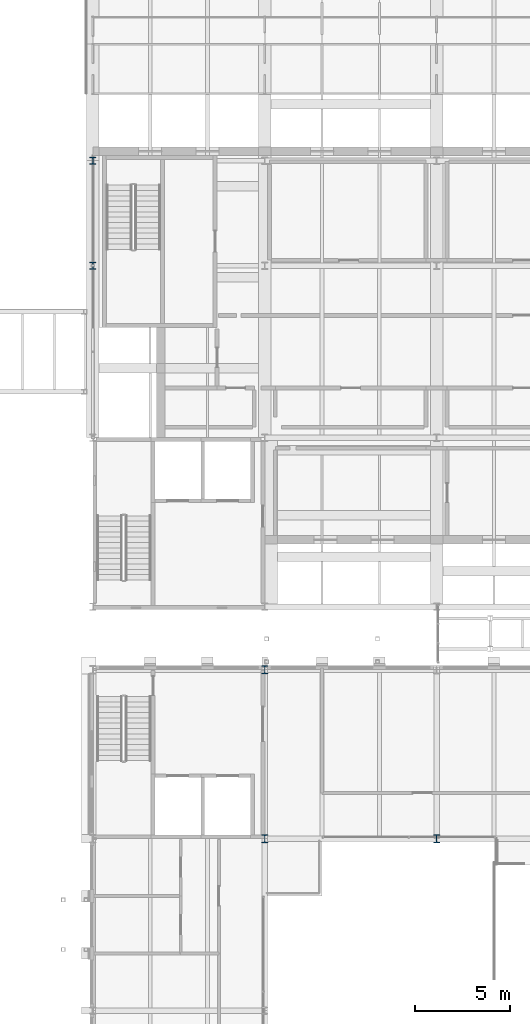
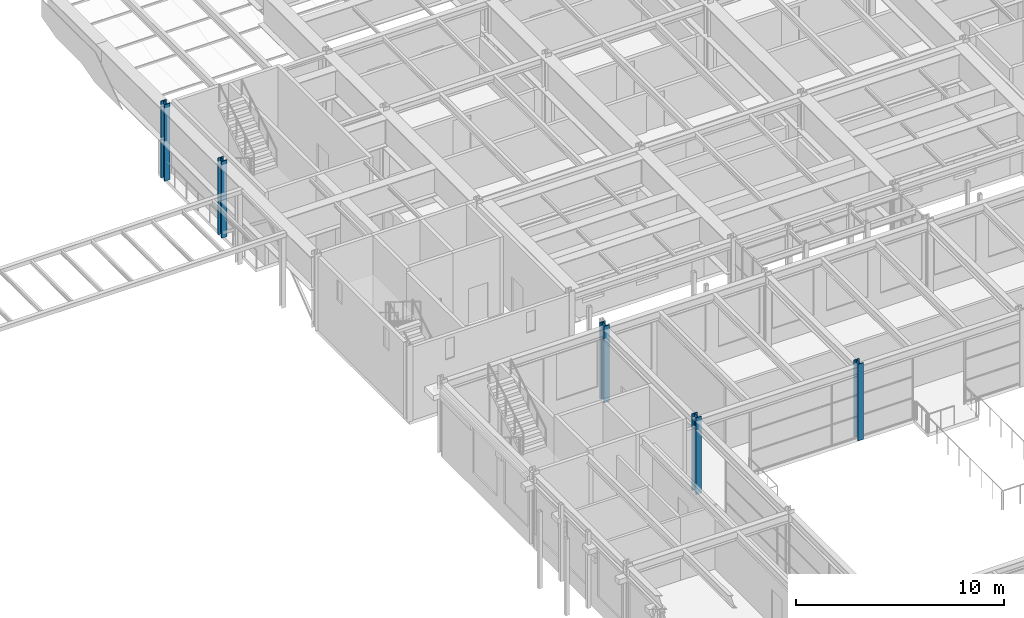
# One storey, part 10 of 153: 5 columns.
"""IFC4 building model written with IfcOpenShell, lengths in metres."""

from ifc_helpers import new_model, si_unit, direction, frame, origin, origin_2d, place, context, subcontext, project, spatial, i_section, extrude, material, material_profile, profile_set, type_object, element, save


model = new_model("IFC4")

# Units and contexts
model_context = context("Model", 3, precision=1e-05, world=origin(), true_north=direction((0.0, 1.0)))
body_context = subcontext(model_context, "Body", "Model", "MODEL_VIEW")
ifc_project = project(units=[si_unit("LENGTHUNIT", "METRE"), si_unit("AREAUNIT", "SQUARE_METRE"), si_unit("VOLUMEUNIT", "CUBIC_METRE"), si_unit("PLANEANGLEUNIT", "RADIAN"), si_unit("MASSUNIT", "GRAM", prefix="KILO")], contexts=[model_context])

# Site, building, storey
site_placement = place(None, origin())
site = spatial("IfcSite", under=ifc_project, at=site_placement, CompositionType="ELEMENT")
building_placement = place(site_placement, origin())
building = spatial("IfcBuilding", under=site, at=building_placement, Name="Kallimachos Central Library", CompositionType="ELEMENT")
storey_placement = place(building_placement, frame((0.0, 0.0, 5.39990234375)))
storey = spatial("IfcBuildingStorey", under=building, at=storey_placement, Name="L01", CompositionType="ELEMENT", Elevation=5.39990234375)

# Columns
ifc_material_1 = material(Name="Steel S355J2", Category="steel")
ifc_material_profile_1 = material_profile(ifc_material_1, i_section(OverallWidth=0.30908203125, OverallDepth=0.376953125, WebThickness=0.02099609375, FlangeThickness=0.0400390625, FilletRadius=0.027099609375, at=origin_2d()), Name="HEM 340")
ifc_profile_set_1 = profile_set([ifc_material_profile_1], Name="Steel S355J2")
column_type_1 = type_object("IfcColumnType", Name="HEM 340 column", PredefinedType="COLUMN", material=ifc_profile_set_1)
for number, where, z_axis, x_axis, name in (
    (1, (65.5, 105.0, 0.0), (0.0, 0.0, 1.0), (1.0, 0.0, 0.0), "V1-COL-L01-013"),
    (2, (65.5, 110.5, 0.0), (0.0, 0.0, 1.0), (1.0, 0.0, 0.0), "V1-COL-L01-019"),
):
    element("IfcColumn", number, at=place(storey_placement, frame(where, z_axis=z_axis, x_axis=x_axis)), inside=storey, type_object=column_type_1, Name=name, PredefinedType="COLUMN", context=body_context, shape_type="SweptSolid", body=[
        extrude(i_section(OverallWidth=0.30908203125, OverallDepth=0.376953125, WebThickness=0.02099609375, FlangeThickness=0.0400390625, FilletRadius=0.027099609375, at=origin_2d()), origin(), (0.0, 0.0, 1.0), 4.5),
    ])
ifc_material_2 = material(Name="Steel S355J2", Category="steel")
ifc_material_profile_2 = material_profile(ifc_material_2, i_section(OverallWidth=0.306884765625, OverallDepth=0.431884765625, WebThickness=0.02099609375, FlangeThickness=0.0400390625, FilletRadius=0.027099609375, at=origin_2d()), Name="HEM 400")
ifc_profile_set_2 = profile_set([ifc_material_profile_2], Name="Steel S355J2")
column_type_2 = type_object("IfcColumnType", Name="HEM 400 column", PredefinedType="COLUMN", material=ifc_profile_set_2)
for number, where, z_axis, x_axis, name in (
    (3, (74.5, 75.0, 0.0), (0.0, 0.0, 1.0), (1.0, 0.0, 0.0), "V4-COL-L01-020"),
    (4, (83.5, 75.0, 0.0), (0.0, 0.0, 1.0), (1.0, 0.0, 0.0), "V4-COL-L01-021"),
    (5, (74.5, 83.85009765625, 0.0), (0.0, 0.0, 1.0), (1.0, 0.0, 0.0), "V4-COL-L01-026"),
):
    element("IfcColumn", number, at=place(storey_placement, frame(where, z_axis=z_axis, x_axis=x_axis)), inside=storey, type_object=column_type_2, Name=name, PredefinedType="COLUMN", context=body_context, shape_type="SweptSolid", body=[
        extrude(i_section(OverallWidth=0.306884765625, OverallDepth=0.431884765625, WebThickness=0.02099609375, FlangeThickness=0.0400390625, FilletRadius=0.027099609375, at=origin_2d()), origin(), (0.0, 0.0, 1.0), 4.5),
    ])

save(model, "model.ifc")
